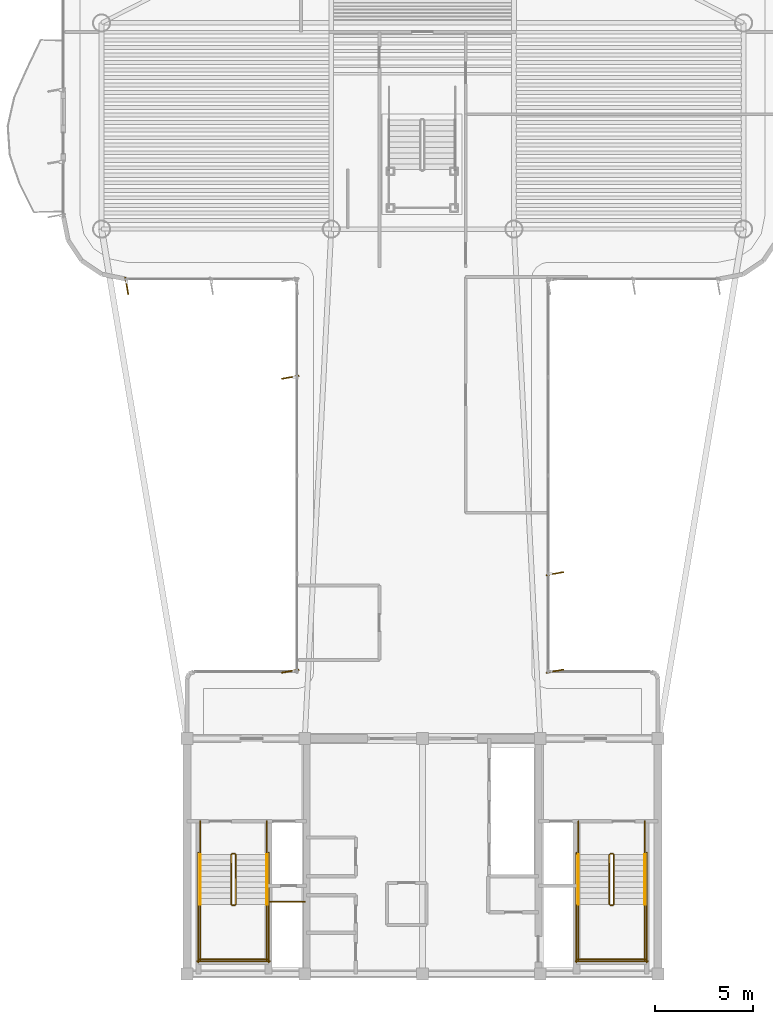
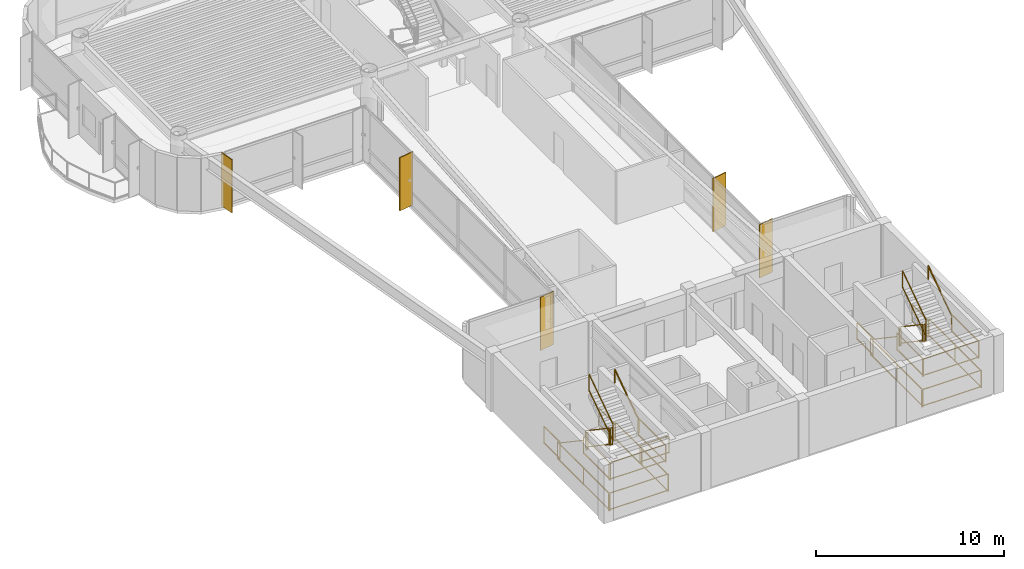
# One storey, part 14 of 17: 29 railings, 5 shading devices.
"""IFC4 building model written with IfcOpenShell, lengths in metres."""

from ifc_helpers import new_model, si_unit, direction, frame, origin, origin_2d, place, context, subcontext, project, spatial, rectangle, extrude, source, transform, mapped, material, layer, layer_set, material_profile, profile_set, type_object, element, save


model = new_model("IFC4")

# Units and contexts
model_context = context("Model", 3, precision=1e-05, world=origin(), true_north=direction((0.0, 1.0)))
body_context = subcontext(model_context, "Body", "Model", "MODEL_VIEW")
ifc_project = project(units=[si_unit("LENGTHUNIT", "METRE"), si_unit("AREAUNIT", "SQUARE_METRE"), si_unit("VOLUMEUNIT", "CUBIC_METRE"), si_unit("PLANEANGLEUNIT", "RADIAN"), si_unit("MASSUNIT", "GRAM", prefix="KILO")], contexts=[model_context])

# Site, building, storey
site_placement = place(None, origin())
site = spatial("IfcSite", under=ifc_project, at=site_placement, CompositionType="ELEMENT")
building_placement = place(site_placement, origin())
building = spatial("IfcBuilding", under=site, at=building_placement, Name="Brelvock Crest Care Tower", CompositionType="ELEMENT")
storey_placement = place(building_placement, frame((0.0, 0.0, 287.280029296875)))
storey = spatial("IfcBuildingStorey", under=building, at=storey_placement, Name="L73", CompositionType="ELEMENT", Elevation=287.280029296875)

# Railings
ifc_material_1 = material(Name="Steel Grade 350", Category="steel")
ifc_layer_1 = layer(ifc_material_1, 0.050048828125, Name="RL-STG1")
ifc_layer_set_1 = layer_set([ifc_layer_1], Name="Steel Grade 350")
railing_type_1 = type_object("IfcRailingType", Name="RL-STG1", PredefinedType="GUARDRAIL", material=ifc_layer_set_1)
railing_1_placement = place(storey_placement, frame((26.260009765625, 12.080078125, 0.18896484375)))
element("IfcRailing", 1, at=railing_1_placement, inside=storey, type_object=railing_type_1, Name="L73 ST-1 stair guard 1", PredefinedType="GUARDRAIL", context=body_context, shape_type="SweptSolid", body=[
    extrude(rectangle(XDim=0.048095703125, YDim=0.048095703125, at=origin_2d()), frame((0.0, -0.001708984375, 1.116943359375), z_axis=(0.0, -0.828861706735, 0.559453546873), x_axis=(1.0, 0.0, 0.0)), (0.0, 0.0, 1.0), 3.036376953125),
    extrude(rectangle(XDim=0.048095703125, YDim=0.048095703125, at=origin_2d()), frame((0.0, -0.001708984375, 0.05615234375), z_axis=(0.0, -0.828861706735, 0.559453546873), x_axis=(1.0, 0.0, 0.0)), (0.0, 0.0, 1.0), 3.036376953125),
    extrude(rectangle(XDim=0.0419921875, YDim=0.0419921875, at=origin_2d()), origin(), (0.0, 0.0, 1.0), 1.08984375),
    extrude(rectangle(XDim=0.0419921875, YDim=0.0419921875, at=origin_2d()), frame((0.0, -2.52001953125, 1.700927734375)), (0.0, 0.0, 1.0), 1.08984375),
])
railing_2_placement = place(storey_placement, frame((26.31005859375, 9.510009765625, 1.889892578125)))
element("IfcRailing", 2, at=railing_2_placement, inside=storey, type_object=railing_type_1, Name="L73 ST-1 stair guard 2", PredefinedType="GUARDRAIL", context=body_context, shape_type="SweptSolid", body=[
    extrude(rectangle(XDim=0.048095703125, YDim=0.048095703125, at=origin_2d()), frame((0.001953125, 0.0, 1.11572265625), z_axis=(1.0, 0.0, 0.0), x_axis=(0.0, 1.0, 0.0)), (0.0, 0.0, 1.0), 0.115966796875),
    extrude(rectangle(XDim=0.048095703125, YDim=0.048095703125, at=origin_2d()), frame((0.001953125, 0.0, 0.054931640625), z_axis=(1.0, 0.0, 0.0), x_axis=(0.0, 1.0, 0.0)), (0.0, 0.0, 1.0), 0.115966796875),
    extrude(rectangle(XDim=0.0419921875, YDim=0.0419921875, at=origin_2d()), origin(), (0.0, 0.0, 1.0), 1.08984375),
    extrude(rectangle(XDim=0.0419921875, YDim=0.0419921875, at=origin_2d()), frame((0.119873046875, 0.0, 0.0)), (0.0, 0.0, 1.0), 1.08984375),
])
for number, where, name in (
    (3, (24.679931640625, 9.56005859375, 1.889892578125), "L73 ST-1 stair guard 3"),
    (4, (28.06005859375, 9.56005859375, 1.889892578125), "L73 ST-1 stair guard 4"),
):
    element("IfcRailing", number, at=place(storey_placement, frame(where)), inside=storey, type_object=railing_type_1, Name=name, PredefinedType="GUARDRAIL", context=body_context, shape_type="SweptSolid", body=[
        extrude(rectangle(XDim=0.048095703125, YDim=0.048095703125, at=origin_2d()), frame((0.0, -0.001953125, 1.11572265625), z_axis=(0.0, -1.0, 0.0), x_axis=(1.0, 0.0, 0.0)), (0.0, 0.0, 1.0), 2.856201171875),
        extrude(rectangle(XDim=0.048095703125, YDim=0.048095703125, at=origin_2d()), frame((0.0, -0.001953125, 0.054931640625), z_axis=(0.0, -1.0, 0.0), x_axis=(1.0, 0.0, 0.0)), (0.0, 0.0, 1.0), 2.856201171875),
        extrude(rectangle(XDim=0.0419921875, YDim=0.0419921875, at=origin_2d()), origin(), (0.0, 0.0, 1.0), 1.08984375),
        extrude(rectangle(XDim=0.0419921875, YDim=0.0419921875, at=origin_2d()), frame((0.0, -2.860107421875, 0.0)), (0.0, 0.0, 1.0), 1.08984375),
    ])
railing_3_placement = place(storey_placement, frame((24.6298828125, 6.75, 1.889892578125)))
element("IfcRailing", 5, at=railing_3_placement, inside=storey, type_object=railing_type_1, Name="L73 ST-1 stair guard 5", PredefinedType="GUARDRAIL", context=body_context, shape_type="SweptSolid", body=[
    extrude(rectangle(XDim=0.048095703125, YDim=0.048095703125, at=origin_2d()), frame((0.001953125, 0.0, 1.11572265625), z_axis=(1.0, 0.0, 0.0), x_axis=(0.0, 1.0, 0.0)), (0.0, 0.0, 1.0), 3.476318359375),
    extrude(rectangle(XDim=0.048095703125, YDim=0.048095703125, at=origin_2d()), frame((0.001953125, 0.0, 0.054931640625), z_axis=(1.0, 0.0, 0.0), x_axis=(0.0, 1.0, 0.0)), (0.0, 0.0, 1.0), 3.476318359375),
    extrude(rectangle(XDim=0.0419921875, YDim=0.0419921875, at=origin_2d()), origin(), (0.0, 0.0, 1.0), 1.08984375),
    extrude(rectangle(XDim=0.0419921875, YDim=0.0419921875, at=origin_2d()), frame((3.480224609375, 0.0, 0.0)), (0.0, 0.0, 1.0), 1.08984375),
])
railing_4_placement = place(storey_placement, frame((26.47998046875, 9.56005859375, 2.078857421875)))
element("IfcRailing", 6, at=railing_4_placement, inside=storey, type_object=railing_type_1, Name="L73 ST-1 stair guard 6", PredefinedType="GUARDRAIL", context=body_context, shape_type="SweptSolid", body=[
    extrude(rectangle(XDim=0.048095703125, YDim=0.048095703125, at=origin_2d()), frame((0.0, 0.001708984375, 1.116943359375), z_axis=(0.0, 0.82882447046, 0.559508710537), x_axis=(-1.0, 0.0, 0.0)), (0.0, 0.0, 1.0), 3.036376953125),
    extrude(rectangle(XDim=0.048095703125, YDim=0.048095703125, at=origin_2d()), frame((0.0, 0.001708984375, 0.05615234375), z_axis=(0.0, 0.82882447046, 0.559508710537), x_axis=(-1.0, 0.0, 0.0)), (0.0, 0.0, 1.0), 3.036376953125),
    extrude(rectangle(XDim=0.0419921875, YDim=0.0419921875, at=origin_2d()), origin(), (0.0, 0.0, 1.0), 1.08984375),
    extrude(rectangle(XDim=0.0419921875, YDim=0.0419921875, at=origin_2d()), frame((0.0, 2.52001953125, 1.701171875)), (0.0, 0.0, 1.0), 1.08984375),
])
railing_5_placement = place(storey_placement, frame((26.31005859375, 12.1298828125, 0.0)))
element("IfcRailing", 7, at=railing_5_placement, inside=storey, type_object=railing_type_1, Name="L73 ST-1 stair guard 7", PredefinedType="GUARDRAIL", context=body_context, shape_type="SweptSolid", body=[
    extrude(rectangle(XDim=0.048095703125, YDim=0.048095703125, at=origin_2d()), frame((0.001953125, 0.0, 1.11572265625), z_axis=(1.0, 0.0, 0.0), x_axis=(0.0, 1.0, 0.0)), (0.0, 0.0, 1.0), 0.115966796875),
    extrude(rectangle(XDim=0.048095703125, YDim=0.048095703125, at=origin_2d()), frame((0.001953125, 0.0, 0.054931640625), z_axis=(1.0, 0.0, 0.0), x_axis=(0.0, 1.0, 0.0)), (0.0, 0.0, 1.0), 0.115966796875),
    extrude(rectangle(XDim=0.0419921875, YDim=0.0419921875, at=origin_2d()), origin(), (0.0, 0.0, 1.0), 1.08984375),
    extrude(rectangle(XDim=0.0419921875, YDim=0.0419921875, at=origin_2d()), frame((0.119873046875, 0.0, 0.0)), (0.0, 0.0, 1.0), 1.08984375),
])
for number, where, name in (
    (8, (24.679931640625, 13.780029296875, 0.0), "L73 ST-1 stair guard 8"),
    (9, (28.06005859375, 13.780029296875, 0.0), "L73 ST-1 stair guard 9"),
):
    element("IfcRailing", number, at=place(storey_placement, frame(where)), inside=storey, type_object=railing_type_1, Name=name, PredefinedType="GUARDRAIL", context=body_context, shape_type="SweptSolid", body=[
        extrude(rectangle(XDim=0.048095703125, YDim=0.048095703125, at=origin_2d()), frame((0.0, -0.001953125, 1.11572265625), z_axis=(0.0, -1.0, 0.0), x_axis=(1.0, 0.0, 0.0)), (0.0, 0.0, 1.0), 1.696044921875),
        extrude(rectangle(XDim=0.048095703125, YDim=0.048095703125, at=origin_2d()), frame((0.0, -0.001953125, 0.054931640625), z_axis=(0.0, -1.0, 0.0), x_axis=(1.0, 0.0, 0.0)), (0.0, 0.0, 1.0), 1.696044921875),
        extrude(rectangle(XDim=0.0419921875, YDim=0.0419921875, at=origin_2d()), origin(), (0.0, 0.0, 1.0), 1.08984375),
        extrude(rectangle(XDim=0.0419921875, YDim=0.0419921875, at=origin_2d()), frame((0.0, -1.699951171875, 0.0)), (0.0, 0.0, 1.0), 1.08984375),
    ])
for number, where, name in (
    (10, (24.580078125, 12.179931640625, 0.0), "L73 ST-1 stair guard 10"),
    (11, (28.159912109375, 12.179931640625, 0.0), "L73 ST-1 stair guard 11"),
):
    element("IfcRailing", number, at=place(storey_placement, frame(where)), inside=storey, type_object=railing_type_1, Name=name, PredefinedType="GUARDRAIL", context=body_context, shape_type="SweptSolid", body=[
        extrude(rectangle(XDim=0.048095703125, YDim=0.048095703125, at=origin_2d()), frame((0.0, -0.001953125, 1.11572265625), z_axis=(0.0, -1.0, 0.0), x_axis=(1.0, 0.0, 0.0)), (0.0, 0.0, 1.0), 5.575927734375),
        extrude(rectangle(XDim=0.048095703125, YDim=0.048095703125, at=origin_2d()), frame((0.0, -0.001953125, 0.054931640625), z_axis=(0.0, -1.0, 0.0), x_axis=(1.0, 0.0, 0.0)), (0.0, 0.0, 1.0), 5.575927734375),
        extrude(rectangle(XDim=0.0419921875, YDim=0.0419921875, at=origin_2d()), origin(), (0.0, 0.0, 1.0), 1.08984375),
        extrude(rectangle(XDim=0.0419921875, YDim=0.0419921875, at=origin_2d()), frame((0.0, -2.7900390625, 0.0)), (0.0, 0.0, 1.0), 1.08984375),
        extrude(rectangle(XDim=0.0419921875, YDim=0.0419921875, at=origin_2d()), frame((0.0, -5.579833984375, 0.0)), (0.0, 0.0, 1.0), 1.08984375),
    ])
railing_6_placement = place(storey_placement, frame((24.530029296875, 6.64990234375, 0.0)))
element("IfcRailing", 12, at=railing_6_placement, inside=storey, type_object=railing_type_1, Name="L73 ST-1 stair guard 12", PredefinedType="GUARDRAIL", context=body_context, shape_type="SweptSolid", body=[
    extrude(rectangle(XDim=0.048095703125, YDim=0.048095703125, at=origin_2d()), frame((0.001953125, 0.0, 1.11572265625), z_axis=(1.0, 0.0, 0.0), x_axis=(0.0, 1.0, 0.0)), (0.0, 0.0, 1.0), 3.676025390625),
    extrude(rectangle(XDim=0.048095703125, YDim=0.048095703125, at=origin_2d()), frame((0.001953125, 0.0, 0.054931640625), z_axis=(1.0, 0.0, 0.0), x_axis=(0.0, 1.0, 0.0)), (0.0, 0.0, 1.0), 3.676025390625),
    extrude(rectangle(XDim=0.0419921875, YDim=0.0419921875, at=origin_2d()), origin(), (0.0, 0.0, 1.0), 1.08984375),
    extrude(rectangle(XDim=0.0419921875, YDim=0.0419921875, at=origin_2d()), frame((3.679931640625, 0.0, 0.0)), (0.0, 0.0, 1.0), 1.08984375),
])
railing_7_placement = place(storey_placement, frame((45.52001953125, 12.080078125, 0.18896484375)))
element("IfcRailing", 13, at=railing_7_placement, inside=storey, type_object=railing_type_1, Name="L73 ST-2 stair guard 1", PredefinedType="GUARDRAIL", context=body_context, shape_type="SweptSolid", body=[
    extrude(rectangle(XDim=0.048095703125, YDim=0.048095703125, at=origin_2d()), frame((0.0, -0.001708984375, 1.116943359375), z_axis=(0.0, -0.828861706735, 0.559453546873), x_axis=(1.0, 0.0, 0.0)), (0.0, 0.0, 1.0), 3.036376953125),
    extrude(rectangle(XDim=0.048095703125, YDim=0.048095703125, at=origin_2d()), frame((0.0, -0.001708984375, 0.05615234375), z_axis=(0.0, -0.828861706735, 0.559453546873), x_axis=(1.0, 0.0, 0.0)), (0.0, 0.0, 1.0), 3.036376953125),
    extrude(rectangle(XDim=0.0419921875, YDim=0.0419921875, at=origin_2d()), origin(), (0.0, 0.0, 1.0), 1.08984375),
    extrude(rectangle(XDim=0.0419921875, YDim=0.0419921875, at=origin_2d()), frame((0.0, -2.52001953125, 1.700927734375)), (0.0, 0.0, 1.0), 1.08984375),
])
railing_8_placement = place(storey_placement, frame((45.570068359375, 9.510009765625, 1.889892578125)))
element("IfcRailing", 14, at=railing_8_placement, inside=storey, type_object=railing_type_1, Name="L73 ST-2 stair guard 2", PredefinedType="GUARDRAIL", context=body_context, shape_type="SweptSolid", body=[
    extrude(rectangle(XDim=0.048095703125, YDim=0.048095703125, at=origin_2d()), frame((0.001953125, 0.0, 1.11572265625), z_axis=(1.0, 0.0, 0.0), x_axis=(0.0, 1.0, 0.0)), (0.0, 0.0, 1.0), 0.115966796875),
    extrude(rectangle(XDim=0.048095703125, YDim=0.048095703125, at=origin_2d()), frame((0.001953125, 0.0, 0.054931640625), z_axis=(1.0, 0.0, 0.0), x_axis=(0.0, 1.0, 0.0)), (0.0, 0.0, 1.0), 0.115966796875),
    extrude(rectangle(XDim=0.0419921875, YDim=0.0419921875, at=origin_2d()), origin(), (0.0, 0.0, 1.0), 1.08984375),
    extrude(rectangle(XDim=0.0419921875, YDim=0.0419921875, at=origin_2d()), frame((0.119873046875, 0.0, 0.0)), (0.0, 0.0, 1.0), 1.08984375),
])
for number, where, name in (
    (15, (43.93994140625, 9.56005859375, 1.889892578125), "L73 ST-2 stair guard 3"),
    (16, (47.320068359375, 9.56005859375, 1.889892578125), "L73 ST-2 stair guard 4"),
):
    element("IfcRailing", number, at=place(storey_placement, frame(where)), inside=storey, type_object=railing_type_1, Name=name, PredefinedType="GUARDRAIL", context=body_context, shape_type="SweptSolid", body=[
        extrude(rectangle(XDim=0.048095703125, YDim=0.048095703125, at=origin_2d()), frame((0.0, -0.001953125, 1.11572265625), z_axis=(0.0, -1.0, 0.0), x_axis=(1.0, 0.0, 0.0)), (0.0, 0.0, 1.0), 2.856201171875),
        extrude(rectangle(XDim=0.048095703125, YDim=0.048095703125, at=origin_2d()), frame((0.0, -0.001953125, 0.054931640625), z_axis=(0.0, -1.0, 0.0), x_axis=(1.0, 0.0, 0.0)), (0.0, 0.0, 1.0), 2.856201171875),
        extrude(rectangle(XDim=0.0419921875, YDim=0.0419921875, at=origin_2d()), origin(), (0.0, 0.0, 1.0), 1.08984375),
        extrude(rectangle(XDim=0.0419921875, YDim=0.0419921875, at=origin_2d()), frame((0.0, -2.860107421875, 0.0)), (0.0, 0.0, 1.0), 1.08984375),
    ])
railing_9_placement = place(storey_placement, frame((43.889892578125, 6.75, 1.889892578125)))
element("IfcRailing", 17, at=railing_9_placement, inside=storey, type_object=railing_type_1, Name="L73 ST-2 stair guard 5", PredefinedType="GUARDRAIL", context=body_context, shape_type="SweptSolid", body=[
    extrude(rectangle(XDim=0.048095703125, YDim=0.048095703125, at=origin_2d()), frame((0.001953125, 0.0, 1.11572265625), z_axis=(1.0, 0.0, 0.0), x_axis=(0.0, 1.0, 0.0)), (0.0, 0.0, 1.0), 3.476318359375),
    extrude(rectangle(XDim=0.048095703125, YDim=0.048095703125, at=origin_2d()), frame((0.001953125, 0.0, 0.054931640625), z_axis=(1.0, 0.0, 0.0), x_axis=(0.0, 1.0, 0.0)), (0.0, 0.0, 1.0), 3.476318359375),
    extrude(rectangle(XDim=0.0419921875, YDim=0.0419921875, at=origin_2d()), origin(), (0.0, 0.0, 1.0), 1.08984375),
    extrude(rectangle(XDim=0.0419921875, YDim=0.0419921875, at=origin_2d()), frame((3.480224609375, 0.0, 0.0)), (0.0, 0.0, 1.0), 1.08984375),
])
railing_10_placement = place(storey_placement, frame((45.739990234375, 9.56005859375, 2.078857421875)))
element("IfcRailing", 18, at=railing_10_placement, inside=storey, type_object=railing_type_1, Name="L73 ST-2 stair guard 6", PredefinedType="GUARDRAIL", context=body_context, shape_type="SweptSolid", body=[
    extrude(rectangle(XDim=0.048095703125, YDim=0.048095703125, at=origin_2d()), frame((0.0, 0.001708984375, 1.116943359375), z_axis=(0.0, 0.82882447046, 0.559508710537), x_axis=(-1.0, 0.0, 0.0)), (0.0, 0.0, 1.0), 3.036376953125),
    extrude(rectangle(XDim=0.048095703125, YDim=0.048095703125, at=origin_2d()), frame((0.0, 0.001708984375, 0.05615234375), z_axis=(0.0, 0.82882447046, 0.559508710537), x_axis=(-1.0, 0.0, 0.0)), (0.0, 0.0, 1.0), 3.036376953125),
    extrude(rectangle(XDim=0.0419921875, YDim=0.0419921875, at=origin_2d()), origin(), (0.0, 0.0, 1.0), 1.08984375),
    extrude(rectangle(XDim=0.0419921875, YDim=0.0419921875, at=origin_2d()), frame((0.0, 2.52001953125, 1.701171875)), (0.0, 0.0, 1.0), 1.08984375),
])
railing_11_placement = place(storey_placement, frame((45.570068359375, 12.1298828125, 0.0)))
element("IfcRailing", 19, at=railing_11_placement, inside=storey, type_object=railing_type_1, Name="L73 ST-2 stair guard 7", PredefinedType="GUARDRAIL", context=body_context, shape_type="SweptSolid", body=[
    extrude(rectangle(XDim=0.048095703125, YDim=0.048095703125, at=origin_2d()), frame((0.001953125, 0.0, 1.11572265625), z_axis=(1.0, 0.0, 0.0), x_axis=(0.0, 1.0, 0.0)), (0.0, 0.0, 1.0), 0.115966796875),
    extrude(rectangle(XDim=0.048095703125, YDim=0.048095703125, at=origin_2d()), frame((0.001953125, 0.0, 0.054931640625), z_axis=(1.0, 0.0, 0.0), x_axis=(0.0, 1.0, 0.0)), (0.0, 0.0, 1.0), 0.115966796875),
    extrude(rectangle(XDim=0.0419921875, YDim=0.0419921875, at=origin_2d()), origin(), (0.0, 0.0, 1.0), 1.08984375),
    extrude(rectangle(XDim=0.0419921875, YDim=0.0419921875, at=origin_2d()), frame((0.119873046875, 0.0, 0.0)), (0.0, 0.0, 1.0), 1.08984375),
])
for number, where, name in (
    (20, (43.93994140625, 13.780029296875, 0.0), "L73 ST-2 stair guard 8"),
    (21, (47.320068359375, 13.780029296875, 0.0), "L73 ST-2 stair guard 9"),
):
    element("IfcRailing", number, at=place(storey_placement, frame(where)), inside=storey, type_object=railing_type_1, Name=name, PredefinedType="GUARDRAIL", context=body_context, shape_type="SweptSolid", body=[
        extrude(rectangle(XDim=0.048095703125, YDim=0.048095703125, at=origin_2d()), frame((0.0, -0.001953125, 1.11572265625), z_axis=(0.0, -1.0, 0.0), x_axis=(1.0, 0.0, 0.0)), (0.0, 0.0, 1.0), 1.696044921875),
        extrude(rectangle(XDim=0.048095703125, YDim=0.048095703125, at=origin_2d()), frame((0.0, -0.001953125, 0.054931640625), z_axis=(0.0, -1.0, 0.0), x_axis=(1.0, 0.0, 0.0)), (0.0, 0.0, 1.0), 1.696044921875),
        extrude(rectangle(XDim=0.0419921875, YDim=0.0419921875, at=origin_2d()), origin(), (0.0, 0.0, 1.0), 1.08984375),
        extrude(rectangle(XDim=0.0419921875, YDim=0.0419921875, at=origin_2d()), frame((0.0, -1.699951171875, 0.0)), (0.0, 0.0, 1.0), 1.08984375),
    ])
for number, where, name in (
    (22, (43.840087890625, 12.179931640625, 0.0), "L73 ST-2 stair guard 10"),
    (23, (47.419921875, 12.179931640625, 0.0), "L73 ST-2 stair guard 11"),
):
    element("IfcRailing", number, at=place(storey_placement, frame(where)), inside=storey, type_object=railing_type_1, Name=name, PredefinedType="GUARDRAIL", context=body_context, shape_type="SweptSolid", body=[
        extrude(rectangle(XDim=0.048095703125, YDim=0.048095703125, at=origin_2d()), frame((0.0, -0.001953125, 1.11572265625), z_axis=(0.0, -1.0, 0.0), x_axis=(1.0, 0.0, 0.0)), (0.0, 0.0, 1.0), 5.575927734375),
        extrude(rectangle(XDim=0.048095703125, YDim=0.048095703125, at=origin_2d()), frame((0.0, -0.001953125, 0.054931640625), z_axis=(0.0, -1.0, 0.0), x_axis=(1.0, 0.0, 0.0)), (0.0, 0.0, 1.0), 5.575927734375),
        extrude(rectangle(XDim=0.0419921875, YDim=0.0419921875, at=origin_2d()), origin(), (0.0, 0.0, 1.0), 1.08984375),
        extrude(rectangle(XDim=0.0419921875, YDim=0.0419921875, at=origin_2d()), frame((0.0, -2.7900390625, 0.0)), (0.0, 0.0, 1.0), 1.08984375),
        extrude(rectangle(XDim=0.0419921875, YDim=0.0419921875, at=origin_2d()), frame((0.0, -5.579833984375, 0.0)), (0.0, 0.0, 1.0), 1.08984375),
    ])
railing_12_placement = place(storey_placement, frame((43.7900390625, 6.64990234375, 0.0)))
element("IfcRailing", 24, at=railing_12_placement, inside=storey, type_object=railing_type_1, Name="L73 ST-2 stair guard 12", PredefinedType="GUARDRAIL", context=body_context, shape_type="SweptSolid", body=[
    extrude(rectangle(XDim=0.048095703125, YDim=0.048095703125, at=origin_2d()), frame((0.001953125, 0.0, 1.11572265625), z_axis=(1.0, 0.0, 0.0), x_axis=(0.0, 1.0, 0.0)), (0.0, 0.0, 1.0), 3.676025390625),
    extrude(rectangle(XDim=0.048095703125, YDim=0.048095703125, at=origin_2d()), frame((0.001953125, 0.0, 0.054931640625), z_axis=(1.0, 0.0, 0.0), x_axis=(0.0, 1.0, 0.0)), (0.0, 0.0, 1.0), 3.676025390625),
    extrude(rectangle(XDim=0.0419921875, YDim=0.0419921875, at=origin_2d()), origin(), (0.0, 0.0, 1.0), 1.08984375),
    extrude(rectangle(XDim=0.0419921875, YDim=0.0419921875, at=origin_2d()), frame((3.679931640625, 0.0, 0.0)), (0.0, 0.0, 1.0), 1.08984375),
])
railing_13_placement = place(storey_placement, frame((28.219970703125, 9.679931640625, 0.0)))
element("IfcRailing", 25, at=railing_13_placement, inside=storey, type_object=railing_type_1, Name="L73 Fire Riser Threshold Guard", PredefinedType="GUARDRAIL", context=body_context, shape_type="SweptSolid", body=[
    extrude(rectangle(XDim=0.048095703125, YDim=0.048095703125, at=origin_2d()), frame((0.001953125, 0.0, 1.11572265625), z_axis=(1.0, 0.0, 0.0), x_axis=(0.0, 1.0, 0.0)), (0.0, 0.0, 1.0), 1.776123046875),
    extrude(rectangle(XDim=0.048095703125, YDim=0.048095703125, at=origin_2d()), frame((0.001953125, 0.0, 0.054931640625), z_axis=(1.0, 0.0, 0.0), x_axis=(0.0, 1.0, 0.0)), (0.0, 0.0, 1.0), 1.776123046875),
    extrude(rectangle(XDim=0.0419921875, YDim=0.0419921875, at=origin_2d()), origin(), (0.0, 0.0, 1.0), 1.08984375),
    extrude(rectangle(XDim=0.0419921875, YDim=0.0419921875, at=origin_2d()), frame((1.780029296875, 0.0, 0.0)), (0.0, 0.0, 1.0), 1.08984375),
])
ifc_layer_2 = layer(ifc_material_1, 0.048095703125, Name="RL-STH1")
ifc_layer_set_2 = layer_set([ifc_layer_2], Name="Steel Grade 350")
railing_type_2 = type_object("IfcRailingType", Name="RL-STH1", PredefinedType="HANDRAIL", material=ifc_layer_set_2)
railing_14_placement = place(storey_placement, frame((24.679931640625, 12.080078125, 0.18896484375)))
element("IfcRailing", 26, at=railing_14_placement, inside=storey, type_object=railing_type_2, Name="L73 ST-1 stair handrail 1", PredefinedType="HANDRAIL", context=body_context, shape_type="SweptSolid", body=[
    extrude(rectangle(XDim=0.048095703125, YDim=0.048095703125, at=origin_2d()), frame((0.0, -0.001708984375, 0.876953125), z_axis=(0.0, -0.828861706735, 0.559453546873), x_axis=(1.0, 0.0, 0.0)), (0.0, 0.0, 1.0), 3.036376953125),
    extrude(rectangle(XDim=0.0419921875, YDim=0.0419921875, at=origin_2d()), origin(), (0.0, 0.0, 1.0), 0.849853515625),
    extrude(rectangle(XDim=0.0419921875, YDim=0.0419921875, at=origin_2d()), frame((0.0, -2.52001953125, 1.700927734375)), (0.0, 0.0, 1.0), 0.849853515625),
])
railing_15_placement = place(storey_placement, frame((28.06005859375, 9.56005859375, 2.078857421875)))
element("IfcRailing", 27, at=railing_15_placement, inside=storey, type_object=railing_type_2, Name="L73 ST-1 stair handrail 2", PredefinedType="HANDRAIL", context=body_context, shape_type="SweptSolid", body=[
    extrude(rectangle(XDim=0.048095703125, YDim=0.048095703125, at=origin_2d()), frame((0.0, 0.001708984375, 0.876953125), z_axis=(0.0, 0.82882447046, 0.559508710537), x_axis=(-1.0, 0.0, 0.0)), (0.0, 0.0, 1.0), 3.036376953125),
    extrude(rectangle(XDim=0.0419921875, YDim=0.0419921875, at=origin_2d()), origin(), (0.0, 0.0, 1.0), 0.849853515625),
    extrude(rectangle(XDim=0.0419921875, YDim=0.0419921875, at=origin_2d()), frame((0.0, 2.52001953125, 1.701171875)), (0.0, 0.0, 1.0), 0.849853515625),
])
railing_16_placement = place(storey_placement, frame((43.93994140625, 12.080078125, 0.18896484375)))
element("IfcRailing", 28, at=railing_16_placement, inside=storey, type_object=railing_type_2, Name="L73 ST-2 stair handrail 1", PredefinedType="HANDRAIL", context=body_context, shape_type="SweptSolid", body=[
    extrude(rectangle(XDim=0.048095703125, YDim=0.048095703125, at=origin_2d()), frame((0.0, -0.001708984375, 0.876953125), z_axis=(0.0, -0.828861706735, 0.559453546873), x_axis=(1.0, 0.0, 0.0)), (0.0, 0.0, 1.0), 3.036376953125),
    extrude(rectangle(XDim=0.0419921875, YDim=0.0419921875, at=origin_2d()), origin(), (0.0, 0.0, 1.0), 0.849853515625),
    extrude(rectangle(XDim=0.0419921875, YDim=0.0419921875, at=origin_2d()), frame((0.0, -2.52001953125, 1.700927734375)), (0.0, 0.0, 1.0), 0.849853515625),
])
railing_17_placement = place(storey_placement, frame((47.320068359375, 9.56005859375, 2.078857421875)))
element("IfcRailing", 29, at=railing_17_placement, inside=storey, type_object=railing_type_2, Name="L73 ST-2 stair handrail 2", PredefinedType="HANDRAIL", context=body_context, shape_type="SweptSolid", body=[
    extrude(rectangle(XDim=0.048095703125, YDim=0.048095703125, at=origin_2d()), frame((0.0, 0.001708984375, 0.876953125), z_axis=(0.0, 0.82882447046, 0.559508710537), x_axis=(-1.0, 0.0, 0.0)), (0.0, 0.0, 1.0), 3.036376953125),
    extrude(rectangle(XDim=0.0419921875, YDim=0.0419921875, at=origin_2d()), origin(), (0.0, 0.0, 1.0), 0.849853515625),
    extrude(rectangle(XDim=0.0419921875, YDim=0.0419921875, at=origin_2d()), frame((0.0, 2.52001953125, 1.701171875)), (0.0, 0.0, 1.0), 0.849853515625),
])

# Shading devices
ifc_material_2 = material(Name="Aluminium 6063-T6", Category="aluminium")
ifc_material_profile = material_profile(ifc_material_2, rectangle(XDim=0.054931640625, YDim=0.89990234375, at=origin_2d()), Name="FIN55x900")
ifc_profile_set = profile_set([ifc_material_profile], Name="Aluminium 6063-T6")
shading_device_type = type_object("IfcShadingDeviceType", Name="SHD-FIN1", PredefinedType="USERDEFINED", material=ifc_profile_set)
shared_shape = source(origin(), body_context, "Body", "SweptSolid", [
    extrude(rectangle(XDim=0.054931640625, YDim=0.89990234375, at=origin_2d()), origin(), (0.0, 0.0, 1.0), 3.4599609375),
])
for number, where, z_axis, x_axis, name in (
    (30, (29.260009765625, 21.4326171875, 0.0), (0.0, 0.0, 1.0), (-0.173648177667, 0.984807753012, 0.0), "L73 Vertical Sunshade Fin E11-01"),
    (31, (29.260009765625, 36.39990234375, 0.0), (0.0, 0.0, 1.0), (-0.173648177667, 0.984807753012, 0.0), "L73 Vertical Sunshade Fin E11-04"),
    (32, (20.9326171875, 41.06005859375, 0.0), (0.0, 0.0, 1.0), (-0.984807753012, -0.173648177667, 0.0), "L73 Vertical Sunshade Fin E12-03"),
    (33, (42.739990234375, 26.39990234375, 0.0), (0.0, 0.0, 1.0), (0.173648177667, -0.984807753012, 0.0), "L73 Vertical Sunshade Fin E45-04"),
    (34, (42.739990234375, 21.4326171875, 0.0), (0.0, 0.0, 1.0), (0.173648177667, -0.984807753012, 0.0), "L73 Vertical Sunshade Fin E45-05"),
):
    element("IfcShadingDevice", number, at=place(storey_placement, frame(where, z_axis=z_axis, x_axis=x_axis)), inside=storey, type_object=shading_device_type, Name=name, ObjectType="FIN", PredefinedType="USERDEFINED", context=body_context, shape_type="MappedRepresentation", body=[
        mapped(shared_shape, transform((0.0, 0.0, 0.0), x_axis=(1.0, 0.0, 0.0), y_axis=(0.0, 1.0, 0.0), z_axis=(0.0, 0.0, 1.0), scale=1.0)),
    ])

save(model, "model.ifc")
